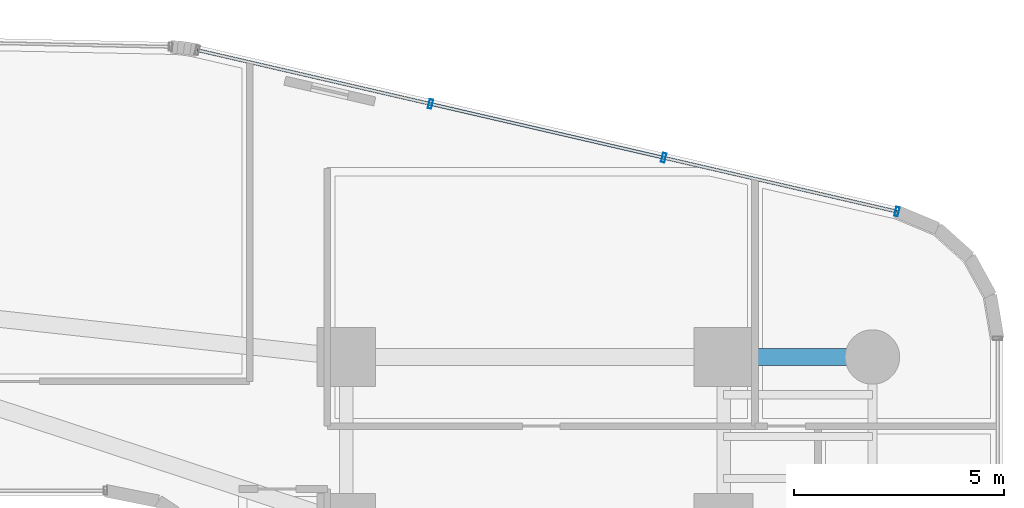
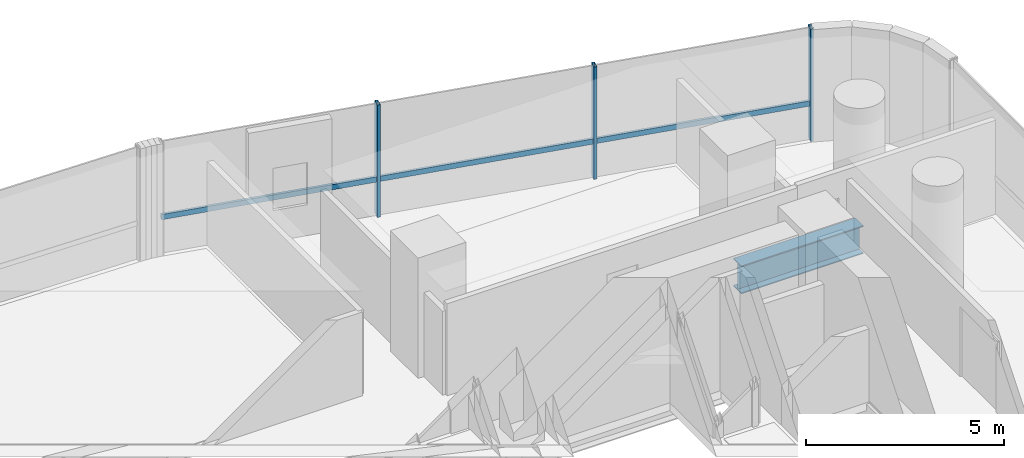
# One storey, part 25 of 40: 4 members, 1 beam, 1 element without a shape of its own.
"""IFC4 building model written with IfcOpenShell, lengths in metres."""

from ifc_helpers import new_model, si_unit, direction, frame, origin, origin_2d, place, context, subcontext, project, spatial, hollow_rectangle, i_section, extrude, source, transform, mapped, material, material_profile, profile_set, type_object, element, aggregate, save


model = new_model("IFC4")

# Units and contexts
model_context = context("Model", 3, precision=1e-05, world=origin(), true_north=direction((0.0, 1.0)))
body_context = subcontext(model_context, "Body", "Model", "MODEL_VIEW")
ifc_project = project(units=[si_unit("LENGTHUNIT", "METRE"), si_unit("AREAUNIT", "SQUARE_METRE"), si_unit("VOLUMEUNIT", "CUBIC_METRE"), si_unit("PLANEANGLEUNIT", "RADIAN"), si_unit("MASSUNIT", "GRAM", prefix="KILO")], contexts=[model_context])

# Site, building, storey
site_placement = place(None, origin())
site = spatial("IfcSite", under=ifc_project, at=site_placement, CompositionType="ELEMENT")
building_placement = place(site_placement, origin())
building = spatial("IfcBuilding", under=site, at=building_placement, Name="Valdorenza Pilgrim Sanctuary Tower", CompositionType="ELEMENT")
storey_placement = place(building_placement, frame((0.0, 0.0, 51.89990234375)))
storey = spatial("IfcBuildingStorey", under=building, at=storey_placement, Name="L12", CompositionType="ELEMENT", Elevation=51.89990234375)

# Beam
ifc_material_1 = material(Name="Steel ASTM A992 Grade 50", Category="steel")
ifc_material_profile_1 = material_profile(ifc_material_1, i_section(OverallWidth=0.39990234375, OverallDepth=0.862060546875, WebThickness=0.019775390625, FlangeThickness=0.032470703125, at=origin_2d()), Name="W33X221")
ifc_profile_set_1 = profile_set([ifc_material_profile_1], Name="Steel ASTM A992 Grade 50")
beam_type = type_object("IfcBeamType", Name="STR-BM-GRD-W33", PredefinedType="BEAM", material=ifc_profile_set_1)
shared_shape_1 = source(origin(), body_context, "Body", "SweptSolid", [
    extrude(i_section(OverallWidth=0.39990234375, OverallDepth=0.862060546875, WebThickness=0.019775390625, FlangeThickness=0.032470703125, at=origin_2d()), origin(), (0.0, 0.0, 1.0), 3.5498046875),
])
beam_placement = place(storey_placement, frame((24.85009765625, 13.5, -0.6708984375), z_axis=(1.0, 0.0, 0.0), x_axis=(0.0, 1.0, 0.0)))
element("IfcBeam", 1, at=beam_placement, inside=storey, type_object=beam_type, Name="L12 Floor Girder WB-XE-N2", PredefinedType="BEAM", context=body_context, shape_type="MappedRepresentation", body=[
    mapped(shared_shape_1, transform((0.0, 0.0, 0.0), x_axis=(1.0, 0.0, 0.0), y_axis=(0.0, 1.0, 0.0), z_axis=(0.0, 0.0, 1.0), scale=1.0)),
])

# Curtain wall, members
ifc_material_2 = material(Name="Curtain-wall IGU glazing", Category="glass")
curtain_wall_type = type_object("IfcCurtainWallType", Name="CW-SYS-03", PredefinedType="NOTDEFINED", material=ifc_material_2)
curtain_wall_placement = place(storey_placement, origin())
curtain_wall = element("IfcCurtainWall", 2, at=curtain_wall_placement, inside=storey, type_object=curtain_wall_type, Name="L12 Curtain Wall CW-L12-1-16", PredefinedType="NOTDEFINED")
ifc_material_3 = material(Name="Anodised aluminium AW-6060", Category="aluminium")
ifc_material_profile_2 = material_profile(ifc_material_3, hollow_rectangle(XDim=0.074951171875, YDim=0.159912109375, WallThickness=0.00390625, at=origin_2d()), Name="ALU-T 160x75x4")
ifc_profile_set_2 = profile_set([ifc_material_profile_2], Name="Anodised aluminium AW-6060")
member_type_1 = type_object("IfcMemberType", Name="CW-TRN-03", PredefinedType="USERDEFINED", material=ifc_profile_set_2)
shared_shape_2 = source(origin(), body_context, "Body", "SweptSolid", [
    extrude(hollow_rectangle(XDim=0.074951171875, YDim=0.159912109375, WallThickness=0.00390625, at=origin_2d()), origin(), (0.0, 0.0, 1.0), 17.125244140625),
])
member_1_placement = place(storey_placement, frame((12.299072265625, 20.818115234375, 1.1201171875), z_axis=(0.974390715149, -0.224861589051, 0.0), x_axis=(0.224861589051, 0.974390715149, 0.0)))
member_1 = element("IfcMember", 3, at=member_1_placement, type_object=member_type_1, Name="CW-L12-1-16 Transom 1", ObjectType="TRANSOM", PredefinedType="USERDEFINED", context=body_context, shape_type="MappedRepresentation", body=[
    mapped(shared_shape_2, transform((0.0, 0.0, 0.0), x_axis=(1.0, 0.0, 0.0), y_axis=(0.0, 1.0, 0.0), z_axis=(0.0, 0.0, 1.0), scale=1.0)),
])
ifc_material_profile_3 = material_profile(ifc_material_3, hollow_rectangle(XDim=0.0849609375, YDim=0.219970703125, WallThickness=0.0048828125, at=origin_2d()), Name="ALU-M 220x85x5")
ifc_profile_set_3 = profile_set([ifc_material_profile_3], Name="Anodised aluminium AW-6060")
member_type_2 = type_object("IfcMemberType", Name="CW-MUL-03", PredefinedType="MULLION", material=ifc_profile_set_3)
shared_shape_3 = source(origin(), body_context, "Body", "SweptSolid", [
    extrude(hollow_rectangle(XDim=0.0849609375, YDim=0.219970703125, WallThickness=0.0048828125, at=origin_2d()), origin(), (0.0, 0.0, 1.0), 3.460205078125),
])
member_2_placement = place(storey_placement, frame((17.861328125, 19.534423828125, 0.0), z_axis=(0.0, 0.0, 1.0), x_axis=(0.974389691758, -0.224866023659, 0.0)))
member_2 = element("IfcMember", 4, at=member_2_placement, type_object=member_type_2, Name="CW-L12-1-16 Mullion 2", PredefinedType="MULLION", context=body_context, shape_type="MappedRepresentation", body=[
    mapped(shared_shape_3, transform((0.0, 0.0, 0.0), x_axis=(1.0, 0.0, 0.0), y_axis=(0.0, 1.0, 0.0), z_axis=(0.0, 0.0, 1.0), scale=1.0)),
])
member_3_placement = place(storey_placement, frame((23.423583984375, 18.2509765625, 0.0), z_axis=(0.0, 0.0, 1.0), x_axis=(0.974389691758, -0.224866023659, 0.0)))
member_3 = element("IfcMember", 5, at=member_3_placement, type_object=member_type_2, Name="CW-L12-1-16 Mullion 3", PredefinedType="MULLION", context=body_context, shape_type="MappedRepresentation", body=[
    mapped(shared_shape_3, transform((0.0, 0.0, 0.0), x_axis=(1.0, 0.0, 0.0), y_axis=(0.0, 1.0, 0.0), z_axis=(0.0, 0.0, 1.0), scale=1.0)),
])
member_4_placement = place(storey_placement, frame((28.98583984375, 16.96728515625, 0.0), z_axis=(0.0, 0.0, 1.0), x_axis=(0.974389691758, -0.224866023659, 0.0)))
member_4 = element("IfcMember", 6, at=member_4_placement, type_object=member_type_2, Name="CW-L12-1-16 Mullion 4", PredefinedType="MULLION", context=body_context, shape_type="MappedRepresentation", body=[
    mapped(shared_shape_3, transform((0.0, 0.0, 0.0), x_axis=(1.0, 0.0, 0.0), y_axis=(0.0, 1.0, 0.0), z_axis=(0.0, 0.0, 1.0), scale=1.0)),
])
aggregate(curtain_wall, [member_2, member_3, member_4, member_1])

save(model, "model.ifc")
